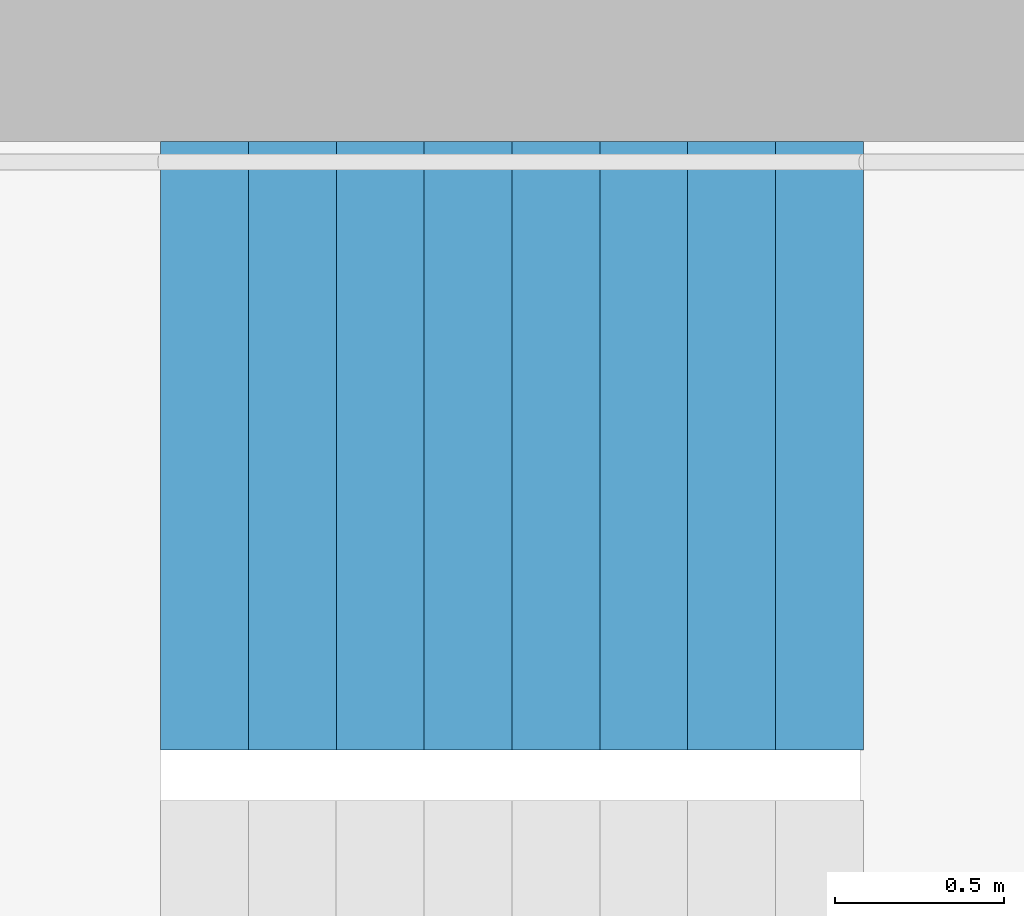
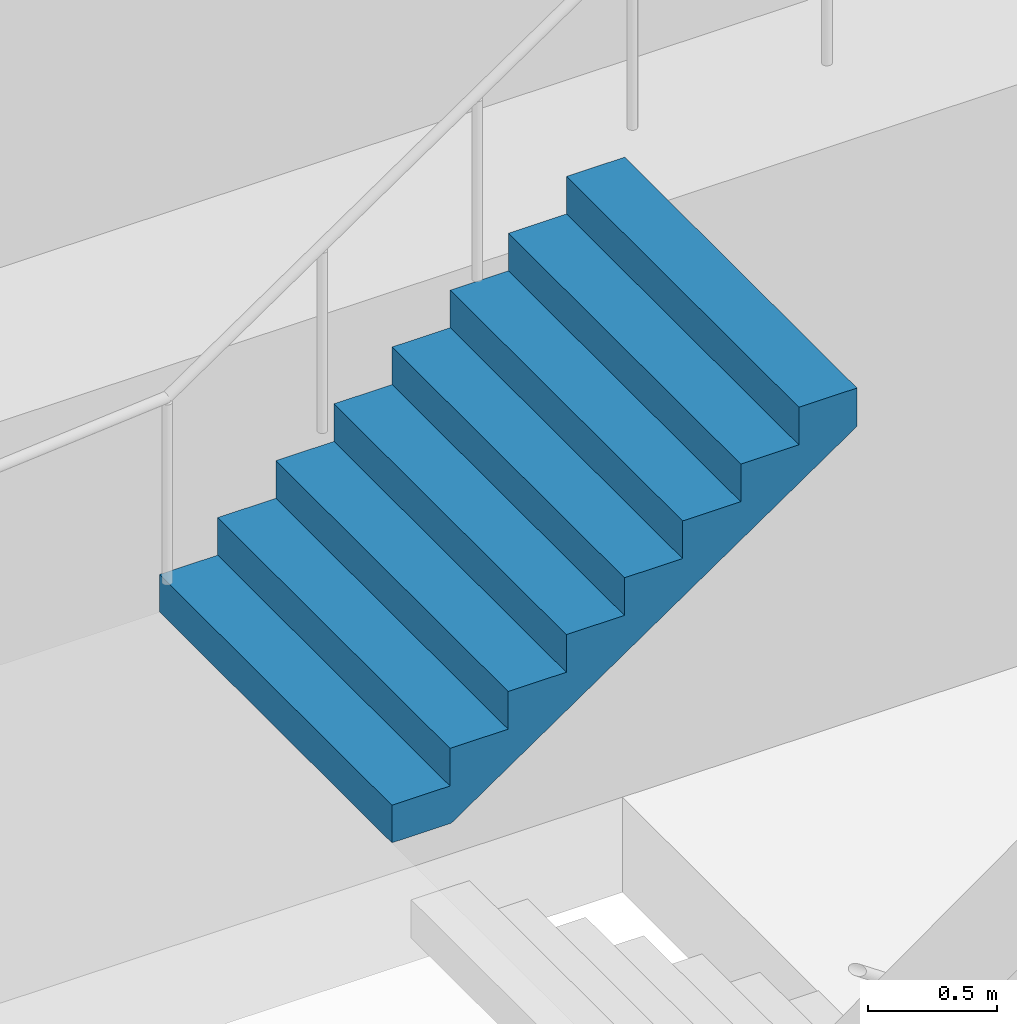
# One storey, part 23 of 28: 1 stair flight, 1 element without a shape of its own.
"""IFC4 building model written with IfcOpenShell, lengths in metres."""

from ifc_helpers import new_model, si_unit, direction, frame, origin, place, context, subcontext, project, spatial, triangles, material, type_object, element, aggregate, save


model = new_model("IFC4")

# Units and contexts
model_context = context("Model", 3, precision=1e-05, world=origin(), true_north=direction((0.0, 1.0)))
body_context = subcontext(model_context, "Body", "Model", "MODEL_VIEW")
ifc_project = project(units=[si_unit("LENGTHUNIT", "METRE"), si_unit("AREAUNIT", "SQUARE_METRE"), si_unit("VOLUMEUNIT", "CUBIC_METRE"), si_unit("PLANEANGLEUNIT", "RADIAN"), si_unit("MASSUNIT", "GRAM", prefix="KILO")], contexts=[model_context])

# Site, building, storey
site_placement = place(None, origin())
site = spatial("IfcSite", under=ifc_project, at=site_placement, CompositionType="ELEMENT")
building_placement = place(site_placement, origin())
building = spatial("IfcBuilding", under=site, at=building_placement, Name="Hakoniwa Tower and Hamabe Station Hall", CompositionType="ELEMENT")
storey_placement = place(building_placement, frame((0.0, 0.0, 193.0)))
storey = spatial("IfcBuildingStorey", under=building, at=storey_placement, Name="L54", CompositionType="ELEMENT", Elevation=193.0)

# Stair, stair flight
ifc_material_1 = material(Name="Concrete C40", Category="concrete")
stair_type = type_object("IfcStairType", Name="ESCAPE STAIR 1800", PredefinedType="HALF_TURN_STAIR", material=ifc_material_1)
stair_placement = place(storey_placement, origin())
stair = element("IfcStair", 1, at=stair_placement, inside=storey, type_object=stair_type, Name="Escape stair ST-3 L54", PredefinedType="HALF_TURN_STAIR")
ifc_material_2 = material(Name="Concrete C40", Category="concrete")
stair_flight_type = type_object("IfcStairFlightType", Name="STAIR FLIGHT 1800", PredefinedType="STRAIGHT", material=ifc_material_2)
stair_flight_placement = place(storey_placement, frame((22.320068359375, 6.60009765625, 1.60009765625), z_axis=(0.0, 0.0, 1.0), x_axis=(1.0, 0.0, 0.0)))
stair_flight = element("IfcStairFlight", 2, at=stair_flight_placement, type_object=stair_flight_type, Name="ST-3 flight 2", NumberOfRisers=9, NumberOfTreads=8, PredefinedType="STRAIGHT", RiserHeight=0.177777778, TreadLength=0.26, context=body_context, shape_type="Tessellation", body=[
    triangles([(0.0, 0.89990234375, 0.0), (0.260009765625, 0.89990234375, 0.0), (0.265625, 0.89990234375, 0.0), (0.52001953125, 0.89990234375, 0.174072265625), (0.780029296875, 0.89990234375, 0.351806640625), (1.0400390625, 0.89990234375, 0.529541015625), (1.300048828125, 0.89990234375, 0.707275390625), (1.56005859375, 0.89990234375, 0.885009765625), (1.820068359375, 0.89990234375, 1.062744140625), (2.080078125, 0.89990234375, 1.24072265625), (2.080078125, 0.89990234375, 1.422119140625), (1.820068359375, 0.89990234375, 1.422119140625), (1.820068359375, 0.89990234375, 1.244384765625), (1.56005859375, 0.89990234375, 1.244384765625), (1.56005859375, 0.89990234375, 1.066650390625), (1.300048828125, 0.89990234375, 1.066650390625), (1.300048828125, 0.89990234375, 0.888916015625), (1.0400390625, 0.89990234375, 0.888916015625), (1.0400390625, 0.89990234375, 0.711181640625), (0.780029296875, 0.89990234375, 0.711181640625), (0.780029296875, 0.89990234375, 0.533447265625), (0.52001953125, 0.89990234375, 0.533447265625), (0.52001953125, 0.89990234375, 0.35546875), (0.265625, 0.89990234375, 0.35546875), (0.260009765625, 0.89990234375, 0.35546875), (0.260009765625, 0.89990234375, 0.177734375), (0.0, 0.89990234375, 0.177734375), (0.0, 0.06005859375, 0.0), (0.260009765625, 0.06005859375, 0.0), (0.265625, 0.06005859375, 0.0), (0.52001953125, 0.06005859375, 0.174072265625), (0.780029296875, 0.06005859375, 0.351806640625), (1.0400390625, 0.06005859375, 0.529541015625), (1.300048828125, 0.06005859375, 0.707275390625), (1.56005859375, 0.06005859375, 0.885009765625), (1.820068359375, 0.06005859375, 1.062744140625), (2.080078125, 0.06005859375, 1.24072265625), (2.080078125, 0.06005859375, 1.422119140625), (1.820068359375, 0.06005859375, 1.422119140625), (1.820068359375, 0.06005859375, 1.244384765625), (1.56005859375, 0.06005859375, 1.244384765625), (1.56005859375, 0.06005859375, 1.066650390625), (1.300048828125, 0.06005859375, 1.066650390625), (1.300048828125, 0.06005859375, 0.888916015625), (1.0400390625, 0.06005859375, 0.888916015625), (1.0400390625, 0.06005859375, 0.711181640625), (0.780029296875, 0.06005859375, 0.711181640625), (0.780029296875, 0.06005859375, 0.533447265625), (0.52001953125, 0.06005859375, 0.533447265625), (0.52001953125, 0.06005859375, 0.35546875), (0.265625, 0.06005859375, 0.35546875), (0.260009765625, 0.06005859375, 0.35546875), (0.260009765625, 0.06005859375, 0.177734375), (0.0, 0.06005859375, 0.177734375), (0.0, 0.04296875, 0.0), (0.260009765625, 0.04296875, 0.0), (0.265625, 0.04296875, 0.0), (0.52001953125, 0.04296875, 0.174072265625), (0.780029296875, 0.04296875, 0.351806640625), (1.0400390625, 0.04296875, 0.529541015625), (1.300048828125, 0.04296875, 0.707275390625), (1.56005859375, 0.04296875, 0.885009765625), (1.820068359375, 0.04296875, 1.062744140625), (2.080078125, 0.04296875, 1.24072265625), (2.080078125, 0.04296875, 1.422119140625), (1.820068359375, 0.04296875, 1.422119140625), (1.820068359375, 0.04296875, 1.244384765625), (1.56005859375, 0.04296875, 1.244384765625), (1.56005859375, 0.04296875, 1.066650390625), (1.300048828125, 0.04296875, 1.066650390625), (1.300048828125, 0.04296875, 0.888916015625), (1.0400390625, 0.04296875, 0.888916015625), (1.0400390625, 0.04296875, 0.711181640625), (0.780029296875, 0.04296875, 0.711181640625), (0.780029296875, 0.04296875, 0.533447265625), (0.52001953125, 0.04296875, 0.533447265625), (0.52001953125, 0.04296875, 0.35546875), (0.265625, 0.04296875, 0.35546875), (0.260009765625, 0.04296875, 0.35546875), (0.260009765625, 0.04296875, 0.177734375), (0.0, 0.04296875, 0.177734375), (0.0, 0.025634765625, 0.0), (0.260009765625, 0.025634765625, 0.0), (0.265625, 0.025634765625, 0.0), (0.52001953125, 0.025634765625, 0.174072265625), (0.780029296875, 0.025634765625, 0.351806640625), (1.0400390625, 0.025634765625, 0.529541015625), (1.300048828125, 0.025634765625, 0.707275390625), (1.56005859375, 0.025634765625, 0.885009765625), (1.820068359375, 0.025634765625, 1.062744140625), (2.080078125, 0.025634765625, 1.24072265625), (2.080078125, 0.025634765625, 1.422119140625), (1.820068359375, 0.025634765625, 1.422119140625), (1.820068359375, 0.025634765625, 1.244384765625), (1.56005859375, 0.025634765625, 1.244384765625), (1.56005859375, 0.025634765625, 1.066650390625), (1.300048828125, 0.025634765625, 1.066650390625), (1.300048828125, 0.025634765625, 0.888916015625), (1.0400390625, 0.025634765625, 0.888916015625), (1.0400390625, 0.025634765625, 0.711181640625), (0.780029296875, 0.025634765625, 0.711181640625), (0.780029296875, 0.025634765625, 0.533447265625), (0.52001953125, 0.025634765625, 0.533447265625), (0.52001953125, 0.025634765625, 0.35546875), (0.265625, 0.025634765625, 0.35546875), (0.260009765625, 0.025634765625, 0.35546875), (0.260009765625, 0.025634765625, 0.177734375), (0.0, 0.025634765625, 0.177734375), (0.0, 0.008544921875, 0.0), (0.260009765625, 0.008544921875, 0.0), (0.265625, 0.008544921875, 0.0), (0.52001953125, 0.008544921875, 0.174072265625), (0.780029296875, 0.008544921875, 0.351806640625), (1.0400390625, 0.008544921875, 0.529541015625), (1.300048828125, 0.008544921875, 0.707275390625), (1.56005859375, 0.008544921875, 0.885009765625), (1.820068359375, 0.008544921875, 1.062744140625), (2.080078125, 0.008544921875, 1.24072265625), (2.080078125, 0.008544921875, 1.422119140625), (1.820068359375, 0.008544921875, 1.422119140625), (1.820068359375, 0.008544921875, 1.244384765625), (1.56005859375, 0.008544921875, 1.244384765625), (1.56005859375, 0.008544921875, 1.066650390625), (1.300048828125, 0.008544921875, 1.066650390625), (1.300048828125, 0.008544921875, 0.888916015625), (1.0400390625, 0.008544921875, 0.888916015625), (1.0400390625, 0.008544921875, 0.711181640625), (0.780029296875, 0.008544921875, 0.711181640625), (0.780029296875, 0.008544921875, 0.533447265625), (0.52001953125, 0.008544921875, 0.533447265625), (0.52001953125, 0.008544921875, 0.35546875), (0.265625, 0.008544921875, 0.35546875), (0.260009765625, 0.008544921875, 0.35546875), (0.260009765625, 0.008544921875, 0.177734375), (0.0, 0.008544921875, 0.177734375), (0.0, -0.008544921875, 0.0), (0.260009765625, -0.008544921875, 0.0), (0.265625, -0.008544921875, 0.0), (0.52001953125, -0.008544921875, 0.174072265625), (0.780029296875, -0.008544921875, 0.351806640625), (1.0400390625, -0.008544921875, 0.529541015625), (1.300048828125, -0.008544921875, 0.707275390625), (1.56005859375, -0.008544921875, 0.885009765625), (1.820068359375, -0.008544921875, 1.062744140625), (2.080078125, -0.008544921875, 1.24072265625), (2.080078125, -0.008544921875, 1.422119140625), (1.820068359375, -0.008544921875, 1.422119140625), (1.820068359375, -0.008544921875, 1.244384765625), (1.56005859375, -0.008544921875, 1.244384765625), (1.56005859375, -0.008544921875, 1.066650390625), (1.300048828125, -0.008544921875, 1.066650390625), (1.300048828125, -0.008544921875, 0.888916015625), (1.0400390625, -0.008544921875, 0.888916015625), (1.0400390625, -0.008544921875, 0.711181640625), (0.780029296875, -0.008544921875, 0.711181640625), (0.780029296875, -0.008544921875, 0.533447265625), (0.52001953125, -0.008544921875, 0.533447265625), (0.52001953125, -0.008544921875, 0.35546875), (0.265625, -0.008544921875, 0.35546875), (0.260009765625, -0.008544921875, 0.35546875), (0.260009765625, -0.008544921875, 0.177734375), (0.0, -0.008544921875, 0.177734375), (0.0, -0.025634765625, 0.0), (0.260009765625, -0.025634765625, 0.0), (0.265625, -0.025634765625, 0.0), (0.52001953125, -0.025634765625, 0.174072265625), (0.780029296875, -0.025634765625, 0.351806640625), (1.0400390625, -0.025634765625, 0.529541015625), (1.300048828125, -0.025634765625, 0.707275390625), (1.56005859375, -0.025634765625, 0.885009765625), (1.820068359375, -0.025634765625, 1.062744140625), (2.080078125, -0.025634765625, 1.24072265625), (2.080078125, -0.025634765625, 1.422119140625), (1.820068359375, -0.025634765625, 1.422119140625), (1.820068359375, -0.025634765625, 1.244384765625), (1.56005859375, -0.025634765625, 1.244384765625), (1.56005859375, -0.025634765625, 1.066650390625), (1.300048828125, -0.025634765625, 1.066650390625), (1.300048828125, -0.025634765625, 0.888916015625), (1.0400390625, -0.025634765625, 0.888916015625), (1.0400390625, -0.025634765625, 0.711181640625), (0.780029296875, -0.025634765625, 0.711181640625), (0.780029296875, -0.025634765625, 0.533447265625), (0.52001953125, -0.025634765625, 0.533447265625), (0.52001953125, -0.025634765625, 0.35546875), (0.265625, -0.025634765625, 0.35546875), (0.260009765625, -0.025634765625, 0.35546875), (0.260009765625, -0.025634765625, 0.177734375), (0.0, -0.025634765625, 0.177734375), (0.0, -0.04296875, 0.0), (0.260009765625, -0.04296875, 0.0), (0.265625, -0.04296875, 0.0), (0.52001953125, -0.04296875, 0.174072265625), (0.780029296875, -0.04296875, 0.351806640625), (1.0400390625, -0.04296875, 0.529541015625), (1.300048828125, -0.04296875, 0.707275390625), (1.56005859375, -0.04296875, 0.885009765625), (1.820068359375, -0.04296875, 1.062744140625), (2.080078125, -0.04296875, 1.24072265625), (2.080078125, -0.04296875, 1.422119140625), (1.820068359375, -0.04296875, 1.422119140625), (1.820068359375, -0.04296875, 1.244384765625), (1.56005859375, -0.04296875, 1.244384765625), (1.56005859375, -0.04296875, 1.066650390625), (1.300048828125, -0.04296875, 1.066650390625), (1.300048828125, -0.04296875, 0.888916015625), (1.0400390625, -0.04296875, 0.888916015625), (1.0400390625, -0.04296875, 0.711181640625), (0.780029296875, -0.04296875, 0.711181640625), (0.780029296875, -0.04296875, 0.533447265625), (0.52001953125, -0.04296875, 0.533447265625), (0.52001953125, -0.04296875, 0.35546875), (0.265625, -0.04296875, 0.35546875), (0.260009765625, -0.04296875, 0.35546875), (0.260009765625, -0.04296875, 0.177734375), (0.0, -0.04296875, 0.177734375), (0.0, -0.06005859375, 0.0), (0.260009765625, -0.06005859375, 0.0), (0.265625, -0.06005859375, 0.0), (0.52001953125, -0.06005859375, 0.174072265625), (0.780029296875, -0.06005859375, 0.351806640625), (1.0400390625, -0.06005859375, 0.529541015625), (1.300048828125, -0.06005859375, 0.707275390625), (1.56005859375, -0.06005859375, 0.885009765625), (1.820068359375, -0.06005859375, 1.062744140625), (2.080078125, -0.06005859375, 1.24072265625), (2.080078125, -0.06005859375, 1.422119140625), (1.820068359375, -0.06005859375, 1.422119140625), (1.820068359375, -0.06005859375, 1.244384765625), (1.56005859375, -0.06005859375, 1.244384765625), (1.56005859375, -0.06005859375, 1.066650390625), (1.300048828125, -0.06005859375, 1.066650390625), (1.300048828125, -0.06005859375, 0.888916015625), (1.0400390625, -0.06005859375, 0.888916015625), (1.0400390625, -0.06005859375, 0.711181640625), (0.780029296875, -0.06005859375, 0.711181640625), (0.780029296875, -0.06005859375, 0.533447265625), (0.52001953125, -0.06005859375, 0.533447265625), (0.52001953125, -0.06005859375, 0.35546875), (0.265625, -0.06005859375, 0.35546875), (0.260009765625, -0.06005859375, 0.35546875), (0.260009765625, -0.06005859375, 0.177734375), (0.0, -0.06005859375, 0.177734375), (0.0, -0.89990234375, 0.0), (0.260009765625, -0.89990234375, 0.0), (0.265625, -0.89990234375, 0.0), (0.52001953125, -0.89990234375, 0.174072265625), (0.780029296875, -0.89990234375, 0.351806640625), (1.0400390625, -0.89990234375, 0.529541015625), (1.300048828125, -0.89990234375, 0.707275390625), (1.56005859375, -0.89990234375, 0.885009765625), (1.820068359375, -0.89990234375, 1.062744140625), (2.080078125, -0.89990234375, 1.24072265625), (2.080078125, -0.89990234375, 1.422119140625), (1.820068359375, -0.89990234375, 1.422119140625), (1.820068359375, -0.89990234375, 1.244384765625), (1.56005859375, -0.89990234375, 1.244384765625), (1.56005859375, -0.89990234375, 1.066650390625), (1.300048828125, -0.89990234375, 1.066650390625), (1.300048828125, -0.89990234375, 0.888916015625), (1.0400390625, -0.89990234375, 0.888916015625), (1.0400390625, -0.89990234375, 0.711181640625), (0.780029296875, -0.89990234375, 0.711181640625), (0.780029296875, -0.89990234375, 0.533447265625), (0.52001953125, -0.89990234375, 0.533447265625), (0.52001953125, -0.89990234375, 0.35546875), (0.265625, -0.89990234375, 0.35546875), (0.260009765625, -0.89990234375, 0.35546875), (0.260009765625, -0.89990234375, 0.177734375), (0.0, -0.89990234375, 0.177734375)], [[2, 27, 26], [245, 269, 270], [2, 1, 27], [245, 270, 244], [3, 25, 24], [246, 267, 268], [3, 26, 25], [246, 268, 269], [3, 2, 26], [246, 269, 245], [4, 24, 23], [247, 266, 267], [4, 3, 24], [247, 267, 246], [5, 22, 21], [248, 264, 265], [5, 23, 22], [248, 265, 266], [5, 4, 23], [248, 266, 247], [6, 20, 19], [249, 262, 263], [6, 21, 20], [249, 263, 264], [6, 5, 21], [249, 264, 248], [7, 18, 17], [250, 260, 261], [7, 19, 18], [250, 261, 262], [7, 6, 19], [250, 262, 249], [8, 16, 15], [251, 258, 259], [8, 17, 16], [251, 259, 260], [8, 7, 17], [251, 260, 250], [9, 14, 13], [252, 256, 257], [9, 15, 14], [252, 257, 258], [9, 8, 15], [252, 258, 251], [10, 12, 11], [253, 254, 255], [10, 13, 12], [253, 255, 256], [10, 9, 13], [253, 256, 252], [1, 2, 29], [1, 29, 28], [28, 29, 56], [28, 56, 55], [55, 56, 83], [55, 83, 82], [82, 83, 110], [82, 110, 109], [109, 110, 137], [109, 137, 136], [136, 137, 164], [136, 164, 163], [163, 164, 191], [163, 191, 190], [190, 191, 218], [190, 218, 217], [217, 218, 245], [217, 245, 244], [2, 3, 30], [2, 30, 29], [29, 30, 57], [29, 57, 56], [56, 57, 84], [56, 84, 83], [83, 84, 111], [83, 111, 110], [110, 111, 138], [110, 138, 137], [137, 138, 165], [137, 165, 164], [164, 165, 192], [164, 192, 191], [191, 192, 219], [191, 219, 218], [218, 219, 246], [218, 246, 245], [3, 4, 31], [3, 31, 30], [30, 31, 58], [30, 58, 57], [57, 58, 85], [57, 85, 84], [84, 85, 112], [84, 112, 111], [111, 112, 139], [111, 139, 138], [138, 139, 166], [138, 166, 165], [165, 166, 193], [165, 193, 192], [192, 193, 220], [192, 220, 219], [219, 220, 247], [219, 247, 246], [4, 5, 32], [4, 32, 31], [31, 32, 59], [31, 59, 58], [58, 59, 86], [58, 86, 85], [85, 86, 113], [85, 113, 112], [112, 113, 140], [112, 140, 139], [139, 140, 167], [139, 167, 166], [166, 167, 194], [166, 194, 193], [193, 194, 221], [193, 221, 220], [220, 221, 248], [220, 248, 247], [5, 6, 33], [5, 33, 32], [32, 33, 60], [32, 60, 59], [59, 60, 87], [59, 87, 86], [86, 87, 114], [86, 114, 113], [113, 114, 141], [113, 141, 140], [140, 141, 168], [140, 168, 167], [167, 168, 195], [167, 195, 194], [194, 195, 222], [194, 222, 221], [221, 222, 249], [221, 249, 248], [6, 7, 34], [6, 34, 33], [33, 34, 61], [33, 61, 60], [60, 61, 88], [60, 88, 87], [87, 88, 115], [87, 115, 114], [114, 115, 142], [114, 142, 141], [141, 142, 169], [141, 169, 168], [168, 169, 196], [168, 196, 195], [195, 196, 223], [195, 223, 222], [222, 223, 250], [222, 250, 249], [7, 8, 35], [7, 35, 34], [34, 35, 62], [34, 62, 61], [61, 62, 89], [61, 89, 88], [88, 89, 116], [88, 116, 115], [115, 116, 143], [115, 143, 142], [142, 143, 170], [142, 170, 169], [169, 170, 197], [169, 197, 196], [196, 197, 224], [196, 224, 223], [223, 224, 251], [223, 251, 250], [8, 9, 36], [8, 36, 35], [35, 36, 63], [35, 63, 62], [62, 63, 90], [62, 90, 89], [89, 90, 117], [89, 117, 116], [116, 117, 144], [116, 144, 143], [143, 144, 171], [143, 171, 170], [170, 171, 198], [170, 198, 197], [197, 198, 225], [197, 225, 224], [224, 225, 252], [224, 252, 251], [9, 10, 37], [9, 37, 36], [36, 37, 64], [36, 64, 63], [63, 64, 91], [63, 91, 90], [90, 91, 118], [90, 118, 117], [117, 118, 145], [117, 145, 144], [144, 145, 172], [144, 172, 171], [171, 172, 199], [171, 199, 198], [198, 199, 226], [198, 226, 225], [225, 226, 253], [225, 253, 252], [10, 11, 38], [10, 38, 37], [37, 38, 65], [37, 65, 64], [64, 65, 92], [64, 92, 91], [91, 92, 119], [91, 119, 118], [118, 119, 146], [118, 146, 145], [145, 146, 173], [145, 173, 172], [172, 173, 200], [172, 200, 199], [199, 200, 227], [199, 227, 226], [226, 227, 254], [226, 254, 253], [11, 12, 39], [11, 39, 38], [38, 39, 66], [38, 66, 65], [65, 66, 93], [65, 93, 92], [92, 93, 120], [92, 120, 119], [119, 120, 147], [119, 147, 146], [146, 147, 174], [146, 174, 173], [173, 174, 201], [173, 201, 200], [200, 201, 228], [200, 228, 227], [227, 228, 255], [227, 255, 254], [12, 13, 40], [12, 40, 39], [39, 40, 67], [39, 67, 66], [66, 67, 94], [66, 94, 93], [93, 94, 121], [93, 121, 120], [120, 121, 148], [120, 148, 147], [147, 148, 175], [147, 175, 174], [174, 175, 202], [174, 202, 201], [201, 202, 229], [201, 229, 228], [228, 229, 256], [228, 256, 255], [13, 14, 41], [13, 41, 40], [40, 41, 68], [40, 68, 67], [67, 68, 95], [67, 95, 94], [94, 95, 122], [94, 122, 121], [121, 122, 149], [121, 149, 148], [148, 149, 176], [148, 176, 175], [175, 176, 203], [175, 203, 202], [202, 203, 230], [202, 230, 229], [229, 230, 257], [229, 257, 256], [14, 15, 42], [14, 42, 41], [41, 42, 69], [41, 69, 68], [68, 69, 96], [68, 96, 95], [95, 96, 123], [95, 123, 122], [122, 123, 150], [122, 150, 149], [149, 150, 177], [149, 177, 176], [176, 177, 204], [176, 204, 203], [203, 204, 231], [203, 231, 230], [230, 231, 258], [230, 258, 257], [15, 16, 43], [15, 43, 42], [42, 43, 70], [42, 70, 69], [69, 70, 97], [69, 97, 96], [96, 97, 124], [96, 124, 123], [123, 124, 151], [123, 151, 150], [150, 151, 178], [150, 178, 177], [177, 178, 205], [177, 205, 204], [204, 205, 232], [204, 232, 231], [231, 232, 259], [231, 259, 258], [16, 17, 44], [16, 44, 43], [43, 44, 71], [43, 71, 70], [70, 71, 98], [70, 98, 97], [97, 98, 125], [97, 125, 124], [124, 125, 152], [124, 152, 151], [151, 152, 179], [151, 179, 178], [178, 179, 206], [178, 206, 205], [205, 206, 233], [205, 233, 232], [232, 233, 260], [232, 260, 259], [17, 18, 45], [17, 45, 44], [44, 45, 72], [44, 72, 71], [71, 72, 99], [71, 99, 98], [98, 99, 126], [98, 126, 125], [125, 126, 153], [125, 153, 152], [152, 153, 180], [152, 180, 179], [179, 180, 207], [179, 207, 206], [206, 207, 234], [206, 234, 233], [233, 234, 261], [233, 261, 260], [18, 19, 46], [18, 46, 45], [45, 46, 73], [45, 73, 72], [72, 73, 100], [72, 100, 99], [99, 100, 127], [99, 127, 126], [126, 127, 154], [126, 154, 153], [153, 154, 181], [153, 181, 180], [180, 181, 208], [180, 208, 207], [207, 208, 235], [207, 235, 234], [234, 235, 262], [234, 262, 261], [19, 20, 47], [19, 47, 46], [46, 47, 74], [46, 74, 73], [73, 74, 101], [73, 101, 100], [100, 101, 128], [100, 128, 127], [127, 128, 155], [127, 155, 154], [154, 155, 182], [154, 182, 181], [181, 182, 209], [181, 209, 208], [208, 209, 236], [208, 236, 235], [235, 236, 263], [235, 263, 262], [20, 21, 48], [20, 48, 47], [47, 48, 75], [47, 75, 74], [74, 75, 102], [74, 102, 101], [101, 102, 129], [101, 129, 128], [128, 129, 156], [128, 156, 155], [155, 156, 183], [155, 183, 182], [182, 183, 210], [182, 210, 209], [209, 210, 237], [209, 237, 236], [236, 237, 264], [236, 264, 263], [21, 22, 49], [21, 49, 48], [48, 49, 76], [48, 76, 75], [75, 76, 103], [75, 103, 102], [102, 103, 130], [102, 130, 129], [129, 130, 157], [129, 157, 156], [156, 157, 184], [156, 184, 183], [183, 184, 211], [183, 211, 210], [210, 211, 238], [210, 238, 237], [237, 238, 265], [237, 265, 264], [22, 23, 50], [22, 50, 49], [49, 50, 77], [49, 77, 76], [76, 77, 104], [76, 104, 103], [103, 104, 131], [103, 131, 130], [130, 131, 158], [130, 158, 157], [157, 158, 185], [157, 185, 184], [184, 185, 212], [184, 212, 211], [211, 212, 239], [211, 239, 238], [238, 239, 266], [238, 266, 265], [23, 24, 51], [23, 51, 50], [50, 51, 78], [50, 78, 77], [77, 78, 105], [77, 105, 104], [104, 105, 132], [104, 132, 131], [131, 132, 159], [131, 159, 158], [158, 159, 186], [158, 186, 185], [185, 186, 213], [185, 213, 212], [212, 213, 240], [212, 240, 239], [239, 240, 267], [239, 267, 266], [24, 25, 52], [24, 52, 51], [51, 52, 79], [51, 79, 78], [78, 79, 106], [78, 106, 105], [105, 106, 133], [105, 133, 132], [132, 133, 160], [132, 160, 159], [159, 160, 187], [159, 187, 186], [186, 187, 214], [186, 214, 213], [213, 214, 241], [213, 241, 240], [240, 241, 268], [240, 268, 267], [25, 26, 53], [25, 53, 52], [52, 53, 80], [52, 80, 79], [79, 80, 107], [79, 107, 106], [106, 107, 134], [106, 134, 133], [133, 134, 161], [133, 161, 160], [160, 161, 188], [160, 188, 187], [187, 188, 215], [187, 215, 214], [214, 215, 242], [214, 242, 241], [241, 242, 269], [241, 269, 268], [26, 27, 54], [26, 54, 53], [53, 54, 81], [53, 81, 80], [80, 81, 108], [80, 108, 107], [107, 108, 135], [107, 135, 134], [134, 135, 162], [134, 162, 161], [161, 162, 189], [161, 189, 188], [188, 189, 216], [188, 216, 215], [215, 216, 243], [215, 243, 242], [242, 243, 270], [242, 270, 269], [27, 1, 28], [27, 28, 54], [54, 28, 55], [54, 55, 81], [81, 55, 82], [81, 82, 108], [108, 82, 109], [108, 109, 135], [135, 109, 136], [135, 136, 162], [162, 136, 163], [162, 163, 189], [189, 163, 190], [189, 190, 216], [216, 190, 217], [216, 217, 243], [243, 217, 244], [243, 244, 270]], closed=True),
])
aggregate(stair, [stair_flight])

save(model, "model.ifc")
